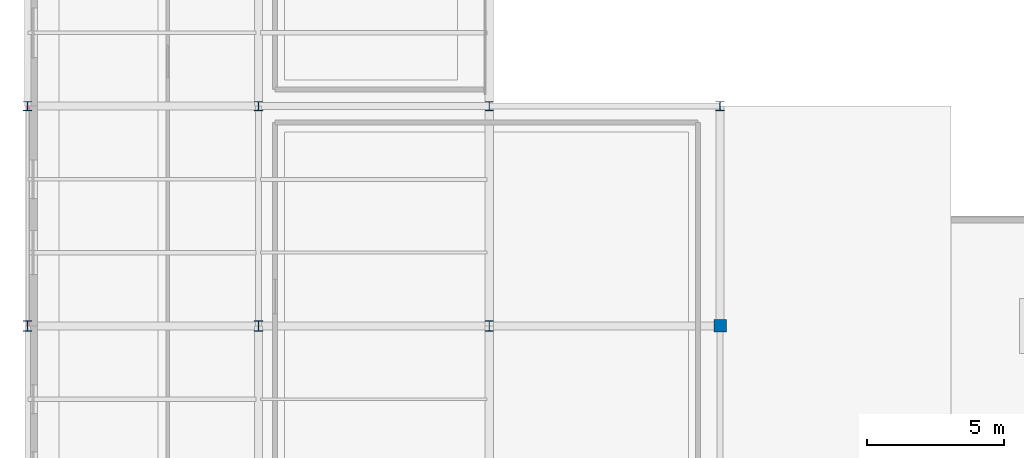
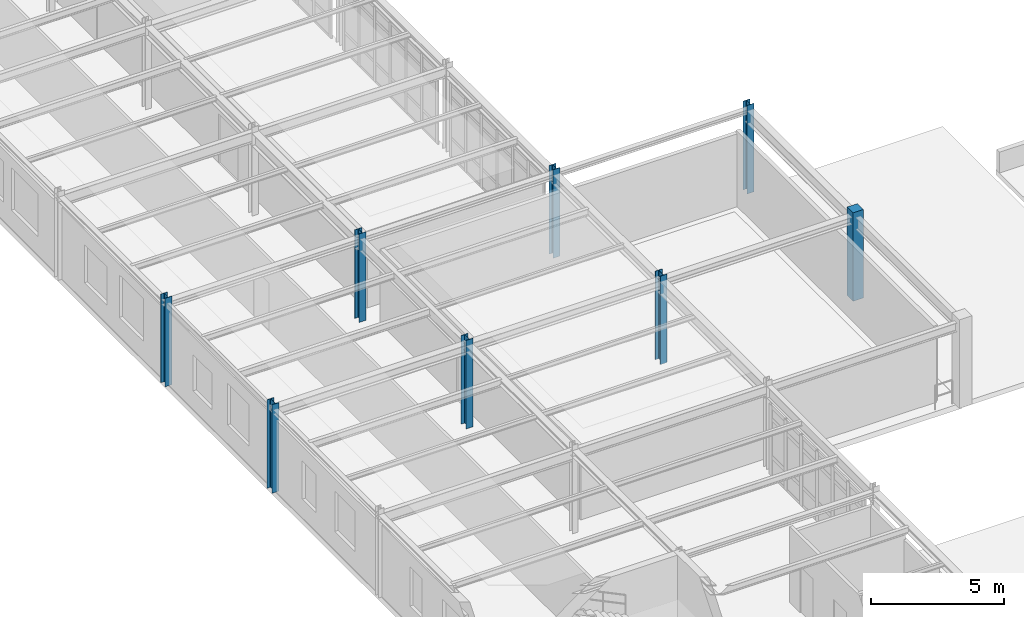
# One storey, part 3 of 70: 8 columns.
"""IFC4 building model written with IfcOpenShell, lengths in metres."""

from ifc_helpers import new_model, si_unit, derived_unit, direction, frame, origin, origin_2d, place, context, subcontext, project, spatial, rectangle, i_section, extrude, material, material_profile, profile_set, type_object, element, save


model = new_model("IFC4")

# Units and contexts
model_context = context("Model", 3, precision=1e-05, world=origin(), true_north=direction((0.0, 1.0)))
body_context = subcontext(model_context, "Body", "Model", "MODEL_VIEW")
ifc_project = project(units=[si_unit("LENGTHUNIT", "METRE"), si_unit("AREAUNIT", "SQUARE_METRE"), si_unit("VOLUMEUNIT", "CUBIC_METRE"), si_unit("PLANEANGLEUNIT", "RADIAN"), si_unit("MASSUNIT", "GRAM", prefix="KILO"), derived_unit("THERMALTRANSMITTANCEUNIT", [(si_unit("POWERUNIT", "WATT"), 1), (si_unit("AREAUNIT", "SQUARE_METRE"), -1), (si_unit("THERMODYNAMICTEMPERATUREUNIT", "KELVIN"), -1)])], contexts=[model_context])

# Site, building, storey
site_placement = place(None, origin())
site = spatial("IfcSite", under=ifc_project, at=site_placement, CompositionType="ELEMENT")
building_placement = place(site_placement, origin())
building = spatial("IfcBuilding", under=site, at=building_placement, Name="Yasenodar Specialist Clinic", CompositionType="ELEMENT")
storey_placement = place(building_placement, frame((0.0, 0.0, 13.199951171875)))
storey = spatial("IfcBuildingStorey", under=building, at=storey_placement, Name="L03", CompositionType="ELEMENT", Elevation=13.199951171875)

# Columns
ifc_material_1 = material(Name="Concrete C35/45", Category="concrete")
ifc_material_profile_1 = material_profile(ifc_material_1, rectangle(XDim=0.449951171875, YDim=0.449951171875, at=origin_2d()), Name="RC 450x450")
ifc_profile_set_1 = profile_set([ifc_material_profile_1], Name="Concrete C35/45")
column_type_1 = type_object("IfcColumnType", Name="COL-RC-450", PredefinedType="COLUMN", material=ifc_profile_set_1)
column_placement = place(storey_placement, frame((25.199951171875, 58.800048828125, 0.0), z_axis=(0.0, 0.0, 1.0), x_axis=(1.0, 0.0, 0.0)))
element("IfcColumn", 1, at=column_placement, inside=storey, type_object=column_type_1, Name="L03 Column V4-053", PredefinedType="COLUMN", context=body_context, shape_type="SweptSolid", body=[
    extrude(rectangle(XDim=0.449951171875, YDim=0.449951171875, at=origin_2d()), origin(), (0.0, 0.0, 1.0), 4.050048828125),
])
ifc_material_2 = material(Name="Steel S355", Category="steel")
ifc_material_profile_2 = material_profile(ifc_material_2, i_section(OverallWidth=0.300048828125, OverallDepth=0.330078125, WebThickness=0.009521484375, FlangeThickness=0.0166015625, FilletRadius=0.027099609375, at=origin_2d()), Name="HEA 340")
ifc_profile_set_2 = profile_set([ifc_material_profile_2], Name="Steel S355")
column_type_2 = type_object("IfcColumnType", Name="COL-ST-HEA340", PredefinedType="COLUMN", material=ifc_profile_set_2)
for number, where, z_axis, x_axis, name in (
    (2, (0.0, 66.800048828125, 0.0), (0.0, 0.0, 1.0), (1.0, 0.0, 0.0), "L03 Column V4-009"),
    (3, (8.39990234375, 66.800048828125, 0.0), (0.0, 0.0, 1.0), (1.0, 0.0, 0.0), "L03 Column V4-024"),
    (4, (16.800048828125, 66.800048828125, 0.0), (0.0, 0.0, 1.0), (1.0, 0.0, 0.0), "L03 Column V4-039"),
    (5, (25.199951171875, 66.800048828125, 0.0), (0.0, 0.0, 1.0), (1.0, 0.0, 0.0), "L03 Column V4-054"),
):
    element("IfcColumn", number, at=place(storey_placement, frame(where, z_axis=z_axis, x_axis=x_axis)), inside=storey, type_object=column_type_2, Name=name, PredefinedType="COLUMN", context=body_context, shape_type="SweptSolid", body=[
        extrude(i_section(OverallWidth=0.300048828125, OverallDepth=0.330078125, WebThickness=0.009521484375, FlangeThickness=0.0166015625, FilletRadius=0.027099609375, at=origin_2d()), origin(), (0.0, 0.0, 1.0), 4.050048828125),
    ])
ifc_material_profile_3 = material_profile(ifc_material_2, i_section(OverallWidth=0.300048828125, OverallDepth=0.389892578125, WebThickness=0.010986328125, FlangeThickness=0.01904296875, FilletRadius=0.027099609375, at=origin_2d()), Name="HEA 400")
ifc_profile_set_3 = profile_set([ifc_material_profile_3], Name="Steel S355")
column_type_3 = type_object("IfcColumnType", Name="COL-ST-HEA400", PredefinedType="COLUMN", material=ifc_profile_set_3)
for number, where, z_axis, x_axis, name in (
    (6, (0.0, 58.800048828125, 0.0), (0.0, 0.0, 1.0), (1.0, 0.0, 0.0), "L03 Column V4-008"),
    (7, (8.39990234375, 58.800048828125, 0.0), (0.0, 0.0, 1.0), (1.0, 0.0, 0.0), "L03 Column V4-023"),
    (8, (16.800048828125, 58.800048828125, 0.0), (0.0, 0.0, 1.0), (1.0, 0.0, 0.0), "L03 Column V4-038"),
):
    element("IfcColumn", number, at=place(storey_placement, frame(where, z_axis=z_axis, x_axis=x_axis)), inside=storey, type_object=column_type_3, Name=name, PredefinedType="COLUMN", context=body_context, shape_type="SweptSolid", body=[
        extrude(i_section(OverallWidth=0.300048828125, OverallDepth=0.389892578125, WebThickness=0.010986328125, FlangeThickness=0.01904296875, FilletRadius=0.027099609375, at=origin_2d()), origin(), (0.0, 0.0, 1.0), 4.050048828125),
    ])

save(model, "model.ifc")
